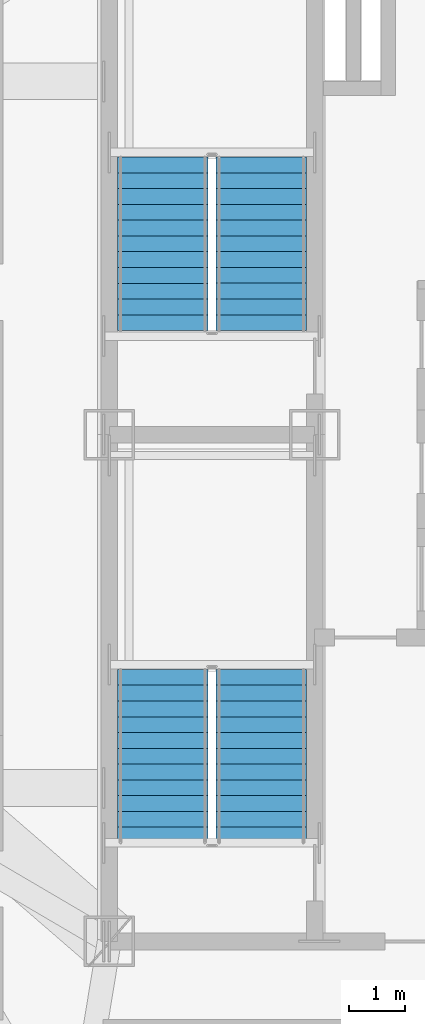
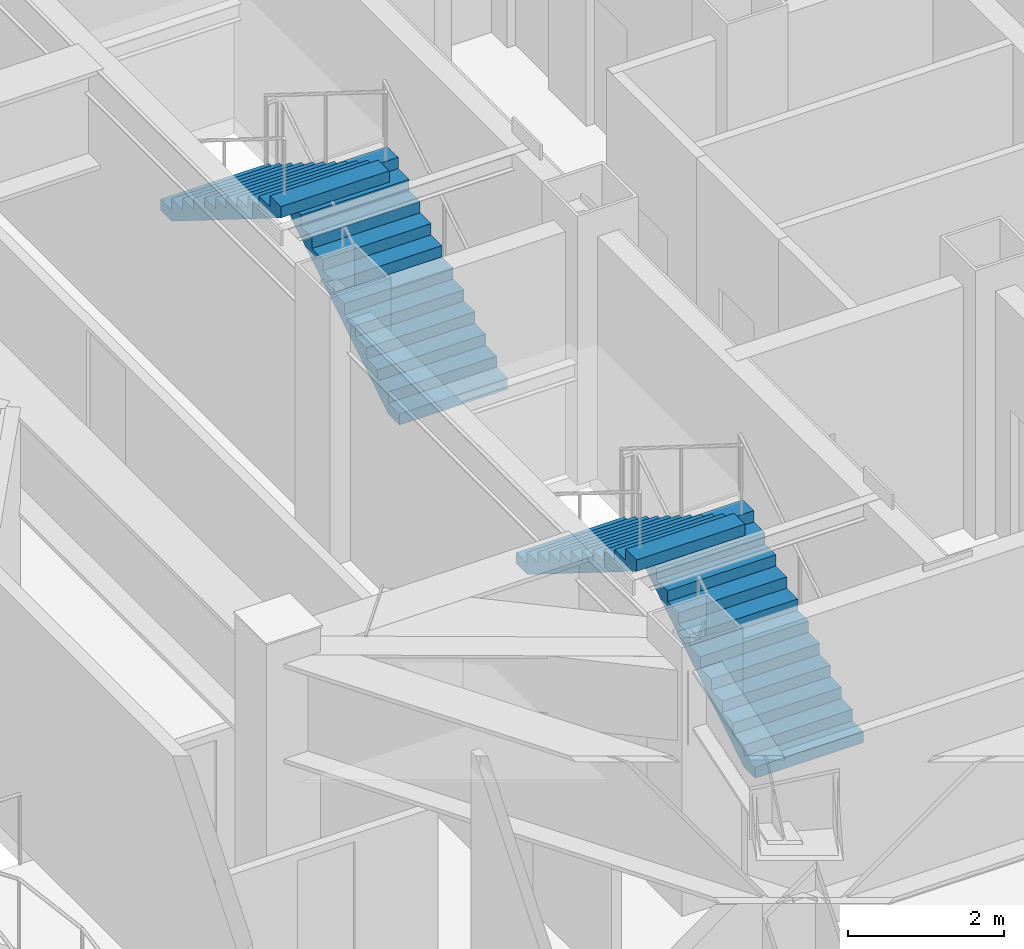
# One storey, part 13 of 16: 4 stair flights, 2 elements without a shape of their own.
"""IFC4 building model written with IfcOpenShell, lengths in metres."""

import ifcopenshell
import ifcopenshell.guid

model = None  # the IFC model being written
_history = None  # IfcOwnerHistory: only IFC2X3 demands one
_inside = {}  # id of a spatial element -> (the spatial element, [elements in it])
_under = {}  # id of a project, library or spatial element -> (it, [spatial elements below it])
_declared = {}  # id of a project -> (the project, [libraries it declares])
_typed = {}  # id of a type object -> (the type object, [elements of that type])
_made_of = {}  # id of a material, layer set ... -> (it, [elements and type objects made of it])


def new_model(schema):
    """Start an empty IFC model of exactly this schema.

    Asked for "IFC4X3", IfcOpenShell would pick the latest addendum, in which some entities
    have other attributes; the version numbers below select the first issue.
    IFC2X3 requires an IfcOwnerHistory on every rooted entity: one is made here for all.
    """
    global model, _history
    if schema == "IFC4X3":
        model = ifcopenshell.file(schema_version=(4, 3, 0, 0))
    else:
        model = ifcopenshell.file(schema=schema)
    _inside.clear()
    _under.clear()
    _declared.clear()
    _typed.clear()
    _made_of.clear()
    _history = None
    if model.schema == "IFC2X3":
        org = make("IfcOrganization", Name="unknown")
        user = make(
            "IfcPersonAndOrganization",
            ThePerson=make("IfcPerson", FamilyName="unknown"),
            TheOrganization=org,
        )
        app = make(
            "IfcApplication",
            ApplicationDeveloper=org,
            Version="unknown",
            ApplicationFullName="unknown",
            ApplicationIdentifier="unknown",
        )
        _history = make(
            "IfcOwnerHistory",
            OwningUser=user,
            OwningApplication=app,
            ChangeAction="ADDED",
            CreationDate=0,
        )
    return model


def make(cls, **values):
    """One entity of the class cls with the attributes given. An attribute that is None is left unset."""
    return model.create_entity(
        cls, **{name: value for name, value in values.items() if value is not None}
    )


def rooted(cls, **values):
    """An entity with a GlobalId (a new one), such as an element, a storey or a relation."""
    return make(cls, GlobalId=ifcopenshell.guid.new(), OwnerHistory=_history, **values)


def si_unit(unit_type, name, prefix=None):
    """IfcSIUnit, for example si_unit("LENGTHUNIT", "METRE", prefix="MILLI")."""
    return make("IfcSIUnit", UnitType=unit_type, Prefix=prefix, Name=name)


def assignment(units):
    """IfcUnitAssignment: the units of a project."""
    return None if units is None else make("IfcUnitAssignment", Units=units)


def point(xyz):
    """IfcCartesianPoint."""
    return None if xyz is None else make("IfcCartesianPoint", Coordinates=xyz)


def direction(xyz):
    """IfcDirection."""
    return None if xyz is None else make("IfcDirection", DirectionRatios=xyz)


def frame(location, z_axis=None, x_axis=None):
    """IfcAxis2Placement3D, a coordinate frame: its origin and axes. An axis left out is left unset."""
    return make(
        "IfcAxis2Placement3D",
        Location=point(location),
        Axis=direction(z_axis),
        RefDirection=direction(x_axis),
    )


def origin():
    """The frame at (0, 0, 0) with its axes left unset."""
    return frame((0.0, 0.0, 0.0))


def place(relative_to, where):
    """IfcLocalPlacement: puts the frame where relative to a parent placement (None: the world)."""
    return make(
        "IfcLocalPlacement", PlacementRelTo=relative_to, RelativePlacement=where
    )


def context(
    kind, dimensions, precision=None, world=None, true_north=None, identifier=None
):
    """IfcGeometricRepresentationContext, for example the 3D "Model" context."""
    return make(
        "IfcGeometricRepresentationContext",
        ContextIdentifier=identifier,
        ContextType=kind,
        CoordinateSpaceDimension=dimensions,
        Precision=precision,
        WorldCoordinateSystem=world,
        TrueNorth=true_north,
    )


def subcontext(parent, identifier, kind, view, scale=None):
    """IfcGeometricRepresentationSubContext, for example "Body" below "Model"."""
    return make(
        "IfcGeometricRepresentationSubContext",
        ContextIdentifier=identifier,
        ContextType=kind,
        ParentContext=parent,
        TargetScale=scale,
        TargetView=view,
    )


def project(units=None, contexts=None):
    """IfcProject with its units and contexts."""
    return rooted(
        "IfcProject",
        Name="project",
        RepresentationContexts=contexts,
        UnitsInContext=assignment(units),
    )


def spatial(cls, under=None, at=None, **own):
    """A site, building, storey or space (cls), placed at a placement, below another one or the project."""
    s = rooted(cls, ObjectPlacement=at, **own)
    if under is not None:
        _under.setdefault(under.id(), (under, []))[1].append(s)
    return s


def polyline(points):
    """IfcPolyline through the points."""
    return make("IfcPolyline", Points=[point(p) for p in points])


def outline(outer, holes=None, kind="AREA"):
    """IfcArbitraryClosedProfileDef: a profile drawn as a closed curve; with holes, ...WithVoids."""
    if holes is None:
        return make("IfcArbitraryClosedProfileDef", ProfileType=kind, OuterCurve=outer)
    return make(
        "IfcArbitraryProfileDefWithVoids",
        ProfileType=kind,
        OuterCurve=outer,
        InnerCurves=holes,
    )


def extrude(swept, where, along, depth):
    """IfcExtrudedAreaSolid: the profile swept, set in the frame where, extruded along a direction by depth."""
    return make(
        "IfcExtrudedAreaSolid",
        SweptArea=swept,
        Position=where,
        ExtrudedDirection=direction(along),
        Depth=depth,
    )


def shape(context_of_items, identifier, shape_type, items):
    """IfcShapeRepresentation: the items that make up one representation, for example the "Body"."""
    return make(
        "IfcShapeRepresentation",
        ContextOfItems=context_of_items,
        RepresentationIdentifier=identifier,
        RepresentationType=shape_type,
        Items=items,
    )


def material(Name=None, Category=None):
    """IfcMaterial."""
    return make("IfcMaterial", Name=Name, Category=Category)


def made_of(thing, what):
    """Note that an element or type object is made of a material, layer set ...; save() writes the relation."""
    if what is not None:
        _made_of.setdefault(what.id(), (what, []))[1].append(thing)
    return thing


def type_object(cls, material=None, **own):
    """A type object (cls), such as IfcWallType, which elements share."""
    return made_of(rooted(cls, **own), material)


def element(
    cls,
    number,
    at=None,
    inside=None,
    cuts=None,
    type_object=None,
    material=None,
    context=None,
    identifier="Body",
    shape_type=None,
    held_by="IfcProductDefinitionShape",
    body=None,
    shapes=None,
    **own,
):
    """One element of the class cls, such as IfcWall. Its Tag is "e" and its number.

    at: its placement. inside: the storey or other place that contains it. cuts: it is an
    opening in that element (IfcRelVoidsElement). A single representation is given by context,
    identifier, shape_type and body (its items); several are given by shapes. held_by: the class
    of the entity that holds the representations. save() writes the other relations.
    """
    e = rooted(cls, Tag="e%d" % number, ObjectPlacement=at, **own)
    if body is not None:
        shapes = [shape(context, identifier, shape_type, body)]
    if shapes is not None:
        e.Representation = make(held_by, Representations=shapes)
    if inside is not None:
        _inside.setdefault(inside.id(), (inside, []))[1].append(e)
    if cuts is not None:
        rooted(
            "IfcRelVoidsElement", RelatingBuildingElement=cuts, RelatedOpeningElement=e
        )
    if type_object is not None:
        _typed.setdefault(type_object.id(), (type_object, []))[1].append(e)
    return made_of(e, material)


def aggregate(whole, parts):
    """IfcRelAggregates: a whole, such as a stair, and the parts it consists of."""
    return rooted("IfcRelAggregates", RelatingObject=whole, RelatedObjects=parts)


def save(model, path):
    """Write the relations noted so far, then the file.

    IfcRelAggregates (storeys below a building ...), IfcRelContainedInSpatialStructure (elements
    in a storey), IfcRelDefinesByType, IfcRelAssociatesMaterial and IfcRelDeclares: one each for
    every whole, place, type object, material and project.
    """
    for whole, parts in _under.values():
        aggregate(whole, parts)
    for where, things in _inside.values():
        rooted(
            "IfcRelContainedInSpatialStructure",
            RelatedElements=things,
            RelatingStructure=where,
        )
    for kind, things in _typed.values():
        rooted("IfcRelDefinesByType", RelatedObjects=things, RelatingType=kind)
    for what, things in _made_of.values():
        rooted("IfcRelAssociatesMaterial", RelatedObjects=things, RelatingMaterial=what)
    for by, libraries in _declared.values():
        rooted("IfcRelDeclares", RelatingContext=by, RelatedDefinitions=libraries)
    model.write(path)


model = new_model("IFC4")

# Units and contexts
model_context = context("Model", 3, precision=1e-05, world=origin(), true_north=direction((0.0, 1.0)))
body_context = subcontext(model_context, "Body", "Model", "MODEL_VIEW")
ifc_project = project(units=[si_unit("LENGTHUNIT", "METRE"), si_unit("AREAUNIT", "SQUARE_METRE"), si_unit("VOLUMEUNIT", "CUBIC_METRE"), si_unit("PLANEANGLEUNIT", "RADIAN"), si_unit("MASSUNIT", "GRAM", prefix="KILO")], contexts=[model_context])

# Site, building, storey
site_placement = place(None, origin())
site = spatial("IfcSite", under=ifc_project, at=site_placement, CompositionType="ELEMENT")
building_placement = place(site_placement, origin())
building = spatial("IfcBuilding", under=site, at=building_placement, Name="Khamvora Tower", CompositionType="ELEMENT")
storey_placement = place(building_placement, frame((0.0, 0.0, 273.64990234375)))
storey = spatial("IfcBuildingStorey", under=building, at=storey_placement, Name="L70", CompositionType="ELEMENT", Elevation=273.64990234375)

# Stair, stair flights
ifc_material = material(Name="Concrete C40/50", Category="concrete")
stair_type_1 = type_object("IfcStairType", Name="STR-ST-01", PredefinedType="HALF_TURN_STAIR", material=ifc_material)
stair_1_placement = place(storey_placement, origin())
stair_1 = element("IfcStair", 1, at=stair_1_placement, inside=storey, type_object=stair_type_1, Name="L70 South Tower Exit Stair ST-01", PredefinedType="HALF_TURN_STAIR")
stair_flight_type_1 = type_object("IfcStairFlightType", Name="STF-ST-01", PredefinedType="STRAIGHT", material=ifc_material)
stair_flight_1_placement = place(storey_placement, frame((31.699951171875, 20.75, 0.0), z_axis=(0.0, 0.0, 1.0), x_axis=(0.0, 1.0, 0.0)))
stair_flight_1 = element("IfcStairFlight", 2, at=stair_flight_1_placement, type_object=stair_flight_type_1, Name="ST-01 flight 1", NumberOfRisers=12, NumberOfTreads=11, PredefinedType="STRAIGHT", RiserHeight=0.175, TreadLength=0.28, context=body_context, shape_type="SweptSolid", body=[
    extrude(outline(polyline([(0.0, 0.0), (0.0, 0.175048828125), (0.280029296875, 0.175048828125), (0.280029296875, 0.35009765625), (0.56005859375, 0.35009765625), (0.56005859375, 0.52490234375), (0.840087890625, 0.52490234375), (0.840087890625, 0.699951171875), (1.1201171875, 0.699951171875), (1.1201171875, 0.875), (1.39990234375, 0.875), (1.39990234375, 1.050048828125), (1.679931640625, 1.050048828125), (1.679931640625, 1.22509765625), (1.9599609375, 1.22509765625), (1.9599609375, 1.39990234375), (2.239990234375, 1.39990234375), (2.239990234375, 1.574951171875), (2.52001953125, 1.574951171875), (2.52001953125, 1.75), (2.800048828125, 1.75), (2.800048828125, 1.925048828125), (3.080078125, 1.925048828125), (3.080078125, 2.10009765625), (3.080078125, 1.748291015625), (0.28271484375, 0.0), (0.0, 0.0)])), frame((0.0, 0.800048828125, 0.0), z_axis=(0.0, -1.0, 0.0), x_axis=(1.0, 0.0, 0.0)), (0.0, 0.0, 1.0), 1.60009765625),
])
stair_flight_2_placement = place(storey_placement, frame((29.949951171875, 23.830078125, 2.10009765625), z_axis=(0.0, 0.0, 1.0), x_axis=(0.0, -1.0, 0.0)))
stair_flight_2 = element("IfcStairFlight", 3, at=stair_flight_2_placement, type_object=stair_flight_type_1, Name="ST-01 flight 2", NumberOfRisers=12, NumberOfTreads=11, PredefinedType="STRAIGHT", RiserHeight=0.175, TreadLength=0.28, context=body_context, shape_type="SweptSolid", body=[
    extrude(outline(polyline([(0.0, 0.0), (0.0, 0.175048828125), (0.280029296875, 0.175048828125), (0.280029296875, 0.35009765625), (0.56005859375, 0.35009765625), (0.56005859375, 0.52490234375), (0.840087890625, 0.52490234375), (0.840087890625, 0.699951171875), (1.1201171875, 0.699951171875), (1.1201171875, 0.875), (1.39990234375, 0.875), (1.39990234375, 1.050048828125), (1.679931640625, 1.050048828125), (1.679931640625, 1.22509765625), (1.9599609375, 1.22509765625), (1.9599609375, 1.39990234375), (2.239990234375, 1.39990234375), (2.239990234375, 1.574951171875), (2.52001953125, 1.574951171875), (2.52001953125, 1.75), (2.800048828125, 1.75), (2.800048828125, 1.925048828125), (3.080078125, 1.925048828125), (3.080078125, 2.10009765625), (3.080078125, 1.748291015625), (0.28271484375, 0.0), (0.0, 0.0)])), frame((0.0, 0.800048828125, 0.0), z_axis=(0.0, -1.0, 0.0), x_axis=(1.0, 0.0, 0.0)), (0.0, 0.0, 1.0), 1.60009765625),
])
aggregate(stair_1, [stair_flight_1, stair_flight_2])

stair_type_2 = type_object("IfcStairType", Name="STR-ST-02", PredefinedType="HALF_TURN_STAIR", material=ifc_material)
stair_2_placement = place(storey_placement, origin())
stair_2 = element("IfcStair", 4, at=stair_2_placement, inside=storey, type_object=stair_type_2, Name="L70 North Tower Exit Stair ST-02", PredefinedType="HALF_TURN_STAIR")
stair_flight_type_2 = type_object("IfcStairFlightType", Name="STF-ST-02", PredefinedType="STRAIGHT", material=ifc_material)
stair_flight_3_placement = place(storey_placement, frame((31.699951171875, 29.85009765625, 0.0), z_axis=(0.0, 0.0, 1.0), x_axis=(0.0, 1.0, 0.0)))
stair_flight_3 = element("IfcStairFlight", 5, at=stair_flight_3_placement, type_object=stair_flight_type_2, Name="ST-02 flight 1", NumberOfRisers=12, NumberOfTreads=11, PredefinedType="STRAIGHT", RiserHeight=0.175, TreadLength=0.28, context=body_context, shape_type="SweptSolid", body=[
    extrude(outline(polyline([(0.0, 0.0), (0.0, 0.175048828125), (0.280029296875, 0.175048828125), (0.280029296875, 0.35009765625), (0.56005859375, 0.35009765625), (0.56005859375, 0.52490234375), (0.840087890625, 0.52490234375), (0.840087890625, 0.699951171875), (1.1201171875, 0.699951171875), (1.1201171875, 0.875), (1.39990234375, 0.875), (1.39990234375, 1.050048828125), (1.679931640625, 1.050048828125), (1.679931640625, 1.22509765625), (1.9599609375, 1.22509765625), (1.9599609375, 1.39990234375), (2.239990234375, 1.39990234375), (2.239990234375, 1.574951171875), (2.52001953125, 1.574951171875), (2.52001953125, 1.75), (2.800048828125, 1.75), (2.800048828125, 1.925048828125), (3.080078125, 1.925048828125), (3.080078125, 2.10009765625), (3.080078125, 1.748291015625), (0.28271484375, 0.0), (0.0, 0.0)])), frame((0.0, 0.800048828125, 0.0), z_axis=(0.0, -1.0, 0.0), x_axis=(1.0, 0.0, 0.0)), (0.0, 0.0, 1.0), 1.60009765625),
])
stair_flight_4_placement = place(storey_placement, frame((29.949951171875, 32.929931640625, 2.10009765625), z_axis=(0.0, 0.0, 1.0), x_axis=(0.0, -1.0, 0.0)))
stair_flight_4 = element("IfcStairFlight", 6, at=stair_flight_4_placement, type_object=stair_flight_type_2, Name="ST-02 flight 2", NumberOfRisers=12, NumberOfTreads=11, PredefinedType="STRAIGHT", RiserHeight=0.175, TreadLength=0.28, context=body_context, shape_type="SweptSolid", body=[
    extrude(outline(polyline([(0.0, 0.0), (0.0, 0.175048828125), (0.280029296875, 0.175048828125), (0.280029296875, 0.35009765625), (0.56005859375, 0.35009765625), (0.56005859375, 0.52490234375), (0.840087890625, 0.52490234375), (0.840087890625, 0.699951171875), (1.1201171875, 0.699951171875), (1.1201171875, 0.875), (1.39990234375, 0.875), (1.39990234375, 1.050048828125), (1.679931640625, 1.050048828125), (1.679931640625, 1.22509765625), (1.9599609375, 1.22509765625), (1.9599609375, 1.39990234375), (2.239990234375, 1.39990234375), (2.239990234375, 1.574951171875), (2.52001953125, 1.574951171875), (2.52001953125, 1.75), (2.800048828125, 1.75), (2.800048828125, 1.925048828125), (3.080078125, 1.925048828125), (3.080078125, 2.10009765625), (3.080078125, 1.748291015625), (0.28271484375, 0.0), (0.0, 0.0)])), frame((0.0, 0.800048828125, 0.0), z_axis=(0.0, -1.0, 0.0), x_axis=(1.0, 0.0, 0.0)), (0.0, 0.0, 1.0), 1.60009765625),
])
aggregate(stair_2, [stair_flight_3, stair_flight_4])

save(model, "model.ifc")
